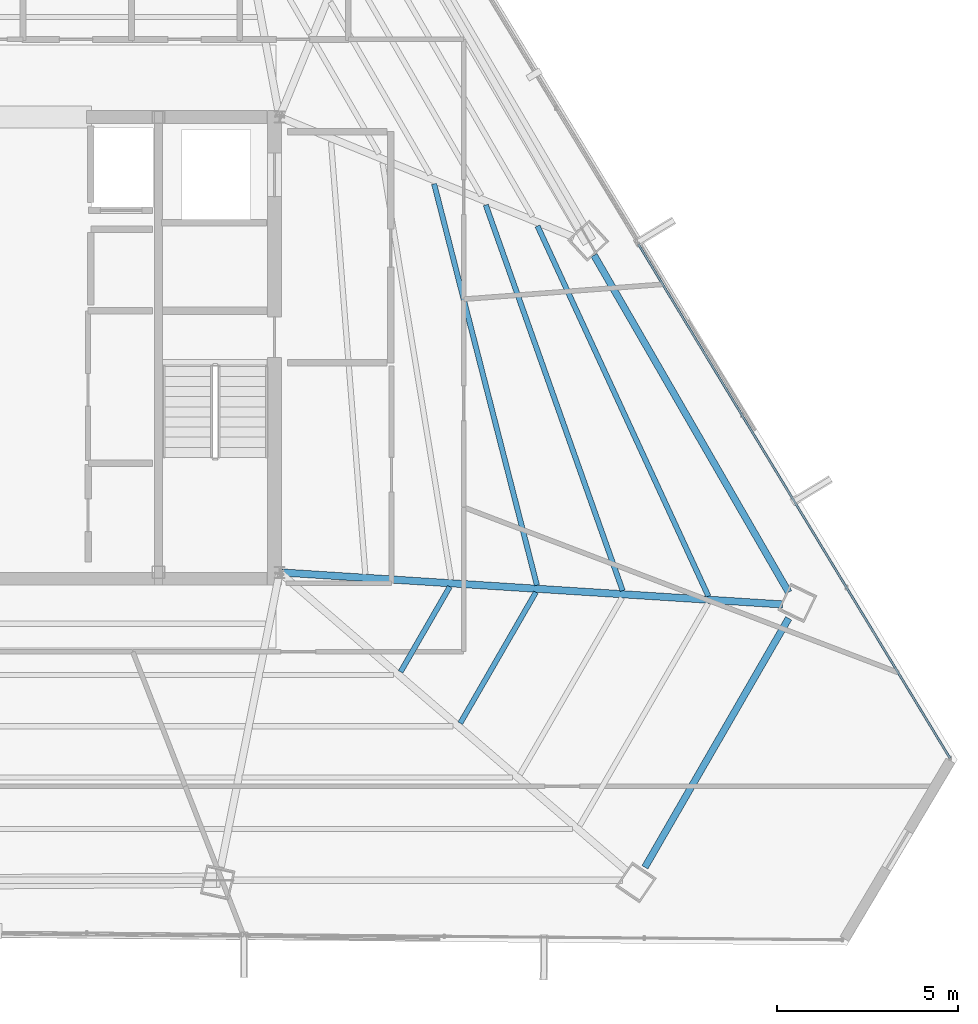
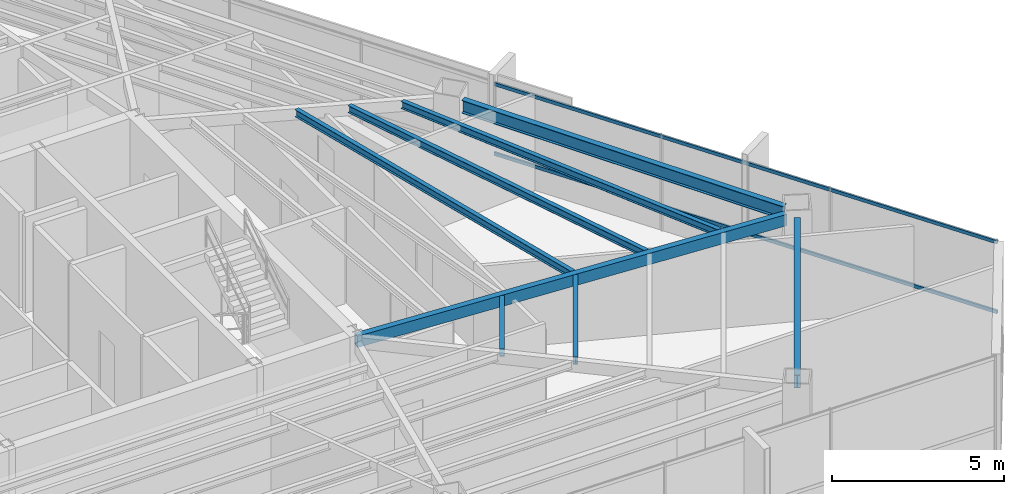
# One storey, part 25 of 47: 8 beams, 2 members, 1 element without a shape of its own.
"""IFC4 building model written with IfcOpenShell, lengths in metres."""

from ifc_helpers import new_model, si_unit, direction, frame, origin, origin_2d, place, context, subcontext, project, spatial, hollow_rectangle, i_section, extrude, source, transform, mapped, material, material_profile, profile_set, type_object, type_shapes, element, aggregate, save


model = new_model("IFC4")

# Units and contexts
model_context = context("Model", 3, precision=1e-05, world=origin(), true_north=direction((0.0, 1.0)))
body_context = subcontext(model_context, "Body", "Model", "MODEL_VIEW")
ifc_project = project(units=[si_unit("LENGTHUNIT", "METRE"), si_unit("AREAUNIT", "SQUARE_METRE"), si_unit("VOLUMEUNIT", "CUBIC_METRE"), si_unit("PLANEANGLEUNIT", "RADIAN"), si_unit("MASSUNIT", "GRAM", prefix="KILO")], contexts=[model_context])

# Site, building, storey
site_placement = place(None, origin())
site = spatial("IfcSite", under=ifc_project, at=site_placement, CompositionType="ELEMENT")
building_placement = place(site_placement, origin())
building = spatial("IfcBuilding", under=site, at=building_placement, Name="Caelisora Broadcast Tower", CompositionType="ELEMENT")
storey_placement = place(building_placement, frame((0.0, 0.0, 229.85009765625)))
storey = spatial("IfcBuildingStorey", under=building, at=storey_placement, Name="L60", CompositionType="ELEMENT", Elevation=229.85009765625)

# Beams
ifc_material_1 = material(Name="Steel Grade 350 (AS/NZS 3679.1)", Category="steel")
ifc_material_profile_1 = material_profile(ifc_material_1, i_section(OverallWidth=0.19091796875, OverallDepth=0.46044921875, WebThickness=0.010009765625, FlangeThickness=0.01611328125, at=origin_2d()), Name="Steel Grade 350 (AS/NZS 3679.1)")
ifc_profile_set_1 = profile_set([ifc_material_profile_1], Name="Steel Grade 350 (AS/NZS 3679.1)")
beam_type_1 = type_object("IfcBeamType", Name="PG06", PredefinedType="BEAM", material=ifc_profile_set_1)
shared_shape_1 = source(origin(), body_context, "Body", "SweptSolid", [
    extrude(i_section(OverallWidth=0.19091796875, OverallDepth=0.46044921875, WebThickness=0.010009765625, FlangeThickness=0.01611328125, at=origin_2d()), origin(), (0.0, 0.0, 1.0), 7.9541015625),
])
beam_1_placement = place(storey_placement, frame((55.61328125, 9.238525390625, 3.169677734375), z_axis=(0.500024450573, 0.866011286779, 0.0), x_axis=(-0.866011286779, 0.500024450573, 0.0)))
element("IfcBeam", 1, at=beam_1_placement, inside=storey, type_object=beam_type_1, Name="L60 beam PG06", PredefinedType="BEAM", context=body_context, shape_type="MappedRepresentation", body=[
    mapped(shared_shape_1, transform((0.0, 0.0, 0.0), scale=1.0)),
])
shared_shape_2 = source(origin(), body_context, "Body", "SweptSolid", [
    extrude(i_section(OverallWidth=0.19091796875, OverallDepth=0.46044921875, WebThickness=0.010009765625, FlangeThickness=0.01611328125, at=origin_2d()), origin(), (0.0, 0.0, 1.0), 10.771484375),
])
type_shapes(beam_type_1, [shared_shape_1, shared_shape_2])
beam_2_placement = place(storey_placement, frame((59.590576171875, 16.84765625, 3.169677734375), z_axis=(-0.500017399385, 0.866015358012, 0.0), x_axis=(-0.866015358012, -0.500017399385, 0.0)))
element("IfcBeam", 2, at=beam_2_placement, inside=storey, type_object=beam_type_1, Name="L60 beam PG06", PredefinedType="BEAM", context=body_context, shape_type="MappedRepresentation", body=[
    mapped(shared_shape_2, transform((0.0, 0.0, 0.0), scale=1.0)),
])
ifc_material_2 = material(Name="Steel Grade 350 (AS/NZS 1163 C350L0)", Category="steel")
ifc_material_profile_2 = material_profile(ifc_material_2, hollow_rectangle(XDim=0.199951171875, YDim=0.39990234375, WallThickness=0.012451171875, at=origin_2d()), Name="Steel Grade 350 (AS/NZS 1163 C350L0)")
ifc_profile_set_2 = profile_set([ifc_material_profile_2], Name="Steel Grade 350 (AS/NZS 1163 C350L0)")
beam_type_2 = type_object("IfcBeamType", Name="PG07", PredefinedType="BEAM", material=ifc_profile_set_2)
shared_shape_3 = source(origin(), body_context, "Body", "SweptSolid", [
    extrude(hollow_rectangle(XDim=0.199951171875, YDim=0.39990234375, WallThickness=0.012451171875, at=origin_2d()), origin(), (0.0, 0.0, 1.0), 13.891845703125),
])
type_shapes(beam_type_2, [shared_shape_3])
beam_3_placement = place(storey_placement, frame((45.559814453125, 17.396240234375, 3.199951171875), z_axis=(0.997968607421, -0.063707602393, 0.0), x_axis=(0.063707602393, 0.997968607421, 0.0)))
element("IfcBeam", 3, at=beam_3_placement, inside=storey, type_object=beam_type_2, Name="L60 beam PG07", PredefinedType="BEAM", context=body_context, shape_type="MappedRepresentation", body=[
    mapped(shared_shape_3, transform((0.0, 0.0, 0.0), scale=1.0)),
])
ifc_material_profile_3 = material_profile(ifc_material_1, i_section(OverallWidth=0.14599609375, OverallDepth=0.256103515625, WebThickness=0.00634765625, FlangeThickness=0.010986328125, at=origin_2d()), Name="Steel Grade 350 (AS/NZS 3679.1)")
ifc_profile_set_3 = profile_set([ifc_material_profile_3], Name="Steel Grade 350 (AS/NZS 3679.1)")
beam_type_3 = type_object("IfcBeamType", Name="SB04", PredefinedType="JOIST", material=ifc_profile_set_3)
shared_shape_4 = source(origin(), body_context, "Body", "SweptSolid", [
    extrude(i_section(OverallWidth=0.14599609375, OverallDepth=0.256103515625, WebThickness=0.00634765625, FlangeThickness=0.010986328125, at=origin_2d()), origin(), (0.0, 0.0, 1.0), 11.46630859375),
])
beam_4_placement = place(storey_placement, frame((52.623779296875, 17.042724609375, 3.271728515625), z_axis=(-0.248137649335, 0.968724783921, 0.0), x_axis=(-0.968724783921, -0.248137649335, 0.0)))
element("IfcBeam", 4, at=beam_4_placement, inside=storey, type_object=beam_type_3, Name="L60 beam SB04", PredefinedType="JOIST", context=body_context, shape_type="MappedRepresentation", body=[
    mapped(shared_shape_4, transform((0.0, 0.0, 0.0), scale=1.0)),
])
shared_shape_5 = source(origin(), body_context, "Body", "SweptSolid", [
    extrude(i_section(OverallWidth=0.14599609375, OverallDepth=0.256103515625, WebThickness=0.00634765625, FlangeThickness=0.010986328125, at=origin_2d()), origin(), (0.0, 0.0, 1.0), 11.32861328125),
])
beam_5_placement = place(storey_placement, frame((54.996826171875, 16.89111328125, 3.271728515625), z_axis=(-0.334427133651, 0.942421610681, 0.0), x_axis=(-0.942421610681, -0.334427133651, 0.0)))
element("IfcBeam", 5, at=beam_5_placement, inside=storey, type_object=beam_type_3, Name="L60 beam SB04", PredefinedType="JOIST", context=body_context, shape_type="MappedRepresentation", body=[
    mapped(shared_shape_5, transform((0.0, 0.0, 0.0), scale=1.0)),
])
shared_shape_6 = source(origin(), body_context, "Body", "SweptSolid", [
    extrude(i_section(OverallWidth=0.14599609375, OverallDepth=0.256103515625, WebThickness=0.00634765625, FlangeThickness=0.010986328125, at=origin_2d()), origin(), (0.0, 0.0, 1.0), 11.281982421875),
])
beam_6_placement = place(storey_placement, frame((57.368896484375, 16.739990234375, 3.271728515625), z_axis=(-0.419097973176, 0.90794101619, 0.0), x_axis=(-0.90794101619, -0.419097973176, 0.0)))
element("IfcBeam", 6, at=beam_6_placement, inside=storey, type_object=beam_type_3, Name="L60 beam SB04", PredefinedType="JOIST", context=body_context, shape_type="MappedRepresentation", body=[
    mapped(shared_shape_6, transform((0.0, 0.0, 0.0), scale=1.0)),
])
shared_shape_7 = source(origin(), body_context, "Body", "SweptSolid", [
    extrude(i_section(OverallWidth=0.14599609375, OverallDepth=0.256103515625, WebThickness=0.00634765625, FlangeThickness=0.010986328125, at=origin_2d()), origin(), (0.0, 0.0, 1.0), 2.72119140625),
])
beam_7_placement = place(storey_placement, frame((48.851318359375, 14.64501953125, 3.271728515625), z_axis=(0.499989089435, 0.86603170291, 0.0), x_axis=(-0.86603170291, 0.499989089435, 0.0)))
element("IfcBeam", 7, at=beam_7_placement, inside=storey, type_object=beam_type_3, Name="L60 beam SB04", PredefinedType="JOIST", context=body_context, shape_type="MappedRepresentation", body=[
    mapped(shared_shape_7, transform((0.0, 0.0, 0.0), scale=1.0)),
])
shared_shape_8 = source(origin(), body_context, "Body", "SweptSolid", [
    extrude(i_section(OverallWidth=0.14599609375, OverallDepth=0.256103515625, WebThickness=0.00634765625, FlangeThickness=0.010986328125, at=origin_2d()), origin(), (0.0, 0.0, 1.0), 4.185791015625),
])
type_shapes(beam_type_3, [shared_shape_4, shared_shape_5, shared_shape_6, shared_shape_7, shared_shape_8])
beam_8_placement = place(storey_placement, frame((50.502197265625, 13.224609375, 3.271728515625), z_axis=(0.499978267371, 0.86603795076, 0.0), x_axis=(-0.86603795076, 0.499978267371, 0.0)))
element("IfcBeam", 8, at=beam_8_placement, inside=storey, type_object=beam_type_3, Name="L60 beam SB04", PredefinedType="JOIST", context=body_context, shape_type="MappedRepresentation", body=[
    mapped(shared_shape_8, transform((0.0, 0.0, 0.0), scale=1.0)),
])

# Curtain wall, members
ifc_material_3 = material(Name="Unitised Aluminium and Low-E Glass Curtain Wall", Category="glass")
curtain_wall_type = type_object("IfcCurtainWallType", Name="CW-Z5", PredefinedType="NOTDEFINED", material=ifc_material_3)
curtain_wall_placement = place(storey_placement, origin())
curtain_wall = element("IfcCurtainWall", 9, at=curtain_wall_placement, inside=storey, type_object=curtain_wall_type, Name="L60 curtain wall CW-Z5", PredefinedType="NOTDEFINED")
ifc_material_4 = material(Name="Aluminium 6063-T6 Anodised Terracotta Bronze", Category="aluminium")
ifc_material_profile_4 = material_profile(ifc_material_4, hollow_rectangle(XDim=0.06005859375, YDim=0.1201171875, WallThickness=0.0029296875, at=origin_2d()), Name="Aluminium 6063-T6 Anodised Terracotta Bronze")
ifc_profile_set_4 = profile_set([ifc_material_profile_4], Name="Aluminium 6063-T6 Anodised Terracotta Bronze")
member_type = type_object("IfcMemberType", Name="CWT-03", PredefinedType="USERDEFINED", material=ifc_profile_set_4)
shared_shape_9 = source(origin(), body_context, "Body", "SweptSolid", [
    extrude(hollow_rectangle(XDim=0.06005859375, YDim=0.1201171875, WallThickness=0.0029296875, at=origin_2d()), origin(), (0.0, 0.0, 1.0), 16.637451171875),
])
type_shapes(member_type, [shared_shape_9])
member_1_placement = place(storey_placement, frame((55.4306640625, 26.481689453125, 0.849853515625), z_axis=(0.518441553172, -0.855113066176, 0.0), x_axis=(0.855113066176, 0.518441553172, 0.0)))
member_1 = element("IfcMember", 10, at=member_1_placement, type_object=member_type, Name="L60-CW-B03 transom #1", ObjectType="TRANSOM", PredefinedType="USERDEFINED", context=body_context, shape_type="MappedRepresentation", body=[
    mapped(shared_shape_9, transform((0.0, 0.0, 0.0), scale=1.0)),
])
member_2_placement = place(storey_placement, frame((55.4306640625, 26.481689453125, 3.31982421875), z_axis=(0.518441553172, -0.855113066176, 0.0), x_axis=(0.855113066176, 0.518441553172, 0.0)))
member_2 = element("IfcMember", 11, at=member_2_placement, type_object=member_type, Name="L60-CW-B03 transom #2", ObjectType="TRANSOM", PredefinedType="USERDEFINED", context=body_context, shape_type="MappedRepresentation", body=[
    mapped(shared_shape_9, transform((0.0, 0.0, 0.0), scale=1.0)),
])
aggregate(curtain_wall, [member_1, member_2])

save(model, "model.ifc")
